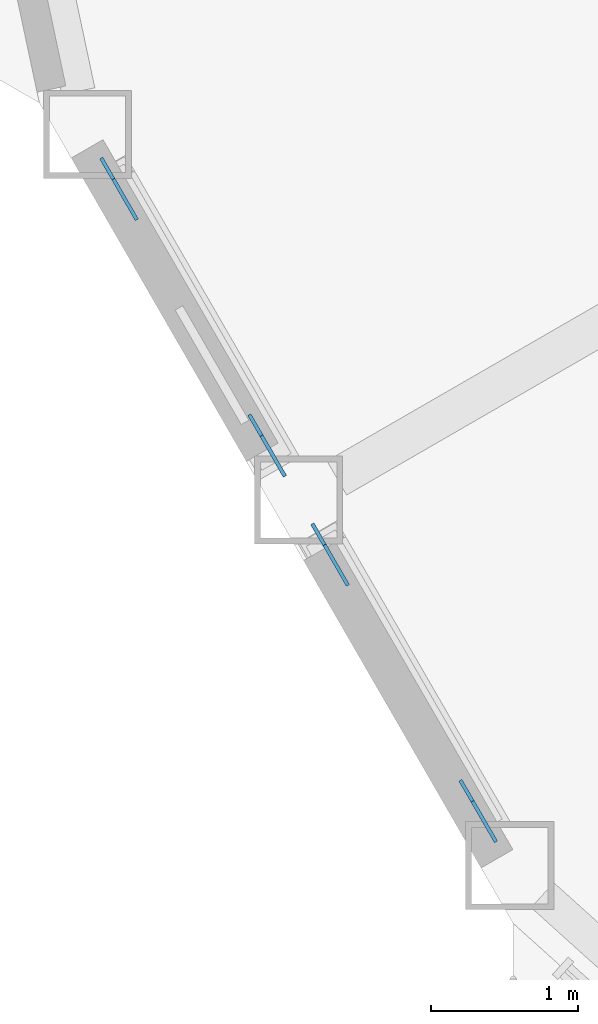
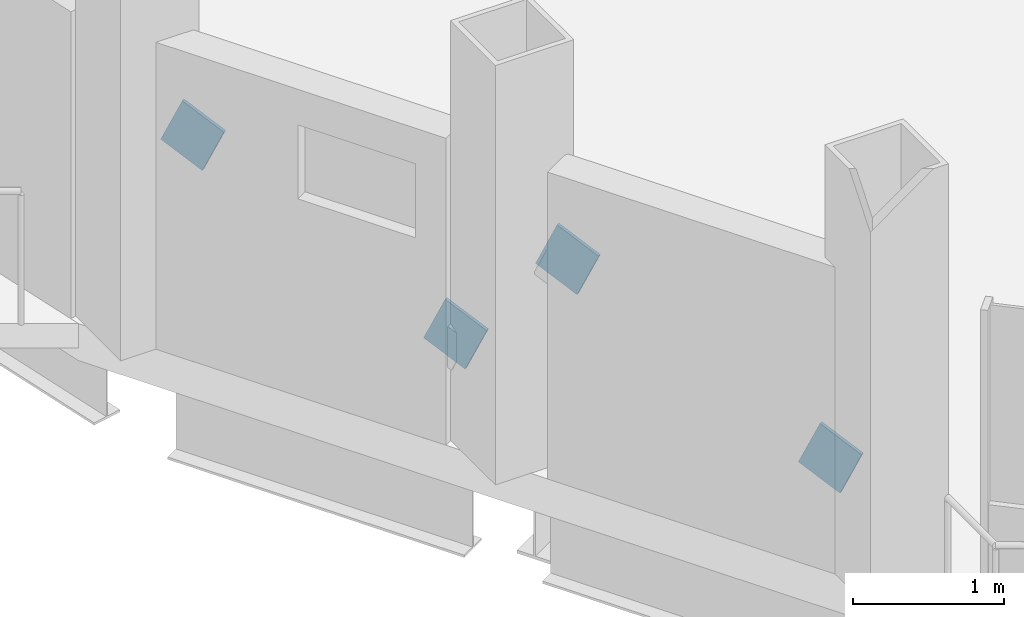
# One storey, part 19 of 26: 4 discrete accessories.
"""IFC4 building model written with IfcOpenShell, lengths in metres."""

from ifc_helpers import new_model, si_unit, direction, frame, origin, origin_2d, place, context, subcontext, project, spatial, rectangle, extrude, material, material_profile, profile_set, type_object, element, save


model = new_model("IFC4")

# Units and contexts
model_context = context("Model", 3, precision=1e-05, world=origin(), true_north=direction((0.0, 1.0)))
body_context = subcontext(model_context, "Body", "Model", "MODEL_VIEW")
ifc_project = project(units=[si_unit("LENGTHUNIT", "METRE"), si_unit("AREAUNIT", "SQUARE_METRE"), si_unit("VOLUMEUNIT", "CUBIC_METRE"), si_unit("PLANEANGLEUNIT", "RADIAN"), si_unit("MASSUNIT", "GRAM", prefix="KILO")], contexts=[model_context])

# Site, building, storey
site_placement = place(None, origin())
site = spatial("IfcSite", under=ifc_project, at=site_placement, CompositionType="ELEMENT")
building_placement = place(site_placement, origin())
building = spatial("IfcBuilding", under=site, at=building_placement, Name="Cormorant Prow Tower", CompositionType="ELEMENT")
storey_placement = place(building_placement, frame((0.0, 0.0, 329.0)))
storey = spatial("IfcBuildingStorey", under=building, at=storey_placement, Name="L73", CompositionType="ELEMENT", Elevation=329.0)

# Discrete accessories
ifc_material = material(Name="Structural steel ASTM A500 Gr C", Category="steel")
ifc_material_profile = material_profile(ifc_material, rectangle(XDim=0.02490234375, YDim=0.405029296875, at=origin_2d()), Name="Gusset plate 25x405")
ifc_profile_set = profile_set([ifc_material_profile], Name="Structural steel ASTM A500 Gr C")
discrete_accessory_type = type_object("IfcDiscreteAccessoryType", Name="Gusset plate 25x405", PredefinedType="BRACKET", material=ifc_profile_set)
discrete_accessory_1_placement = place(storey_placement, frame((-27.7265625, -15.328369140625, 0.86376953125), z_axis=(0.456239480558, -0.790396531303, -0.408801736402), x_axis=(0.866071029786, 0.499920965119, 0.0)))
element("IfcDiscreteAccessory", 1, at=discrete_accessory_1_placement, inside=storey, type_object=discrete_accessory_type, Name="Gusset plate GP3 L73.WSW00.g0", PredefinedType="BRACKET", context=body_context, shape_type="SweptSolid", body=[
    extrude(rectangle(XDim=0.02490234375, YDim=0.405029296875, at=origin_2d()), origin(), (0.0, 0.0, 1.0), 0.349853515625),
])
for number, where, z_axis, x_axis, name in (
    (2, (-28.574951171875, -13.85888671875, 1.6240234375), (-0.456109312262, 0.790171025676, 0.409382517274), (-0.866071029786, -0.499920965119, 0.0), "Gusset plate GP3 L73.WSW00.g1"),
    (3, (-26.289794921875, -17.817138671875, 0.86376953125), (0.456791619277, -0.790144892581, -0.408671586101), (0.865740004385, 0.50049400077, 0.0), "Gusset plate GP3 L73.WSW01.g0"),
):
    element("IfcDiscreteAccessory", number, at=place(storey_placement, frame(where, z_axis=z_axis, x_axis=x_axis)), inside=storey, type_object=discrete_accessory_type, Name=name, PredefinedType="BRACKET", context=body_context, shape_type="SweptSolid", body=[
        extrude(rectangle(XDim=0.02490234375, YDim=0.405029296875, at=origin_2d()), origin(), (0.0, 0.0, 1.0), 0.35009765625),
    ])
discrete_accessory_2_placement = place(storey_placement, frame((-27.137939453125, -16.34765625, 1.6240234375), z_axis=(-0.456360760472, 0.789908839227, 0.4096082055), x_axis=(-0.865879799044, -0.500252110048, 0.0)))
element("IfcDiscreteAccessory", 4, at=discrete_accessory_2_placement, inside=storey, type_object=discrete_accessory_type, Name="Gusset plate GP3 L73.WSW01.g1", PredefinedType="BRACKET", context=body_context, shape_type="SweptSolid", body=[
    extrude(rectangle(XDim=0.02490234375, YDim=0.405029296875, at=origin_2d()), origin(), (0.0, 0.0, 1.0), 0.349853515625),
])

save(model, "model.ifc")
